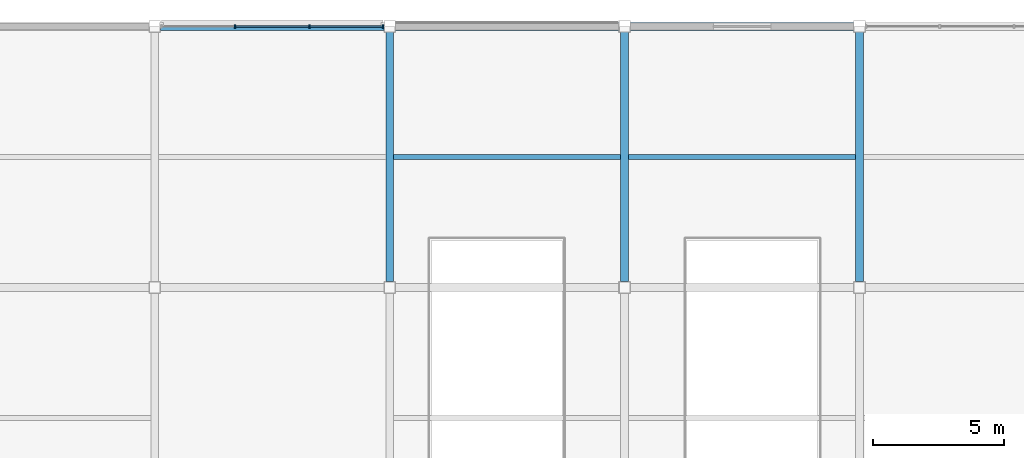
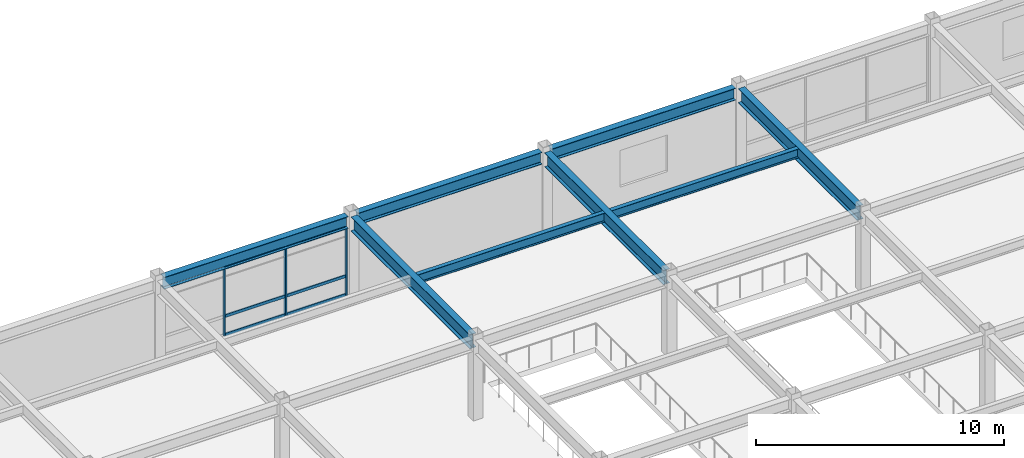
# One storey, part 45 of 105: 9 members, 8 beams, 1 element without a shape of its own.
"""IFC4 building model written with IfcOpenShell, lengths in metres."""

from ifc_helpers import new_model, si_unit, direction, frame, origin, origin_2d, place, context, subcontext, project, spatial, rectangle, i_section, extrude, material, material_profile, profile_set, type_object, element, aggregate, save


model = new_model("IFC4")

# Units and contexts
model_context = context("Model", 3, precision=1e-05, world=origin(), true_north=direction((0.0, 1.0)))
body_context = subcontext(model_context, "Body", "Model", "MODEL_VIEW")
ifc_project = project(units=[si_unit("LENGTHUNIT", "METRE"), si_unit("AREAUNIT", "SQUARE_METRE"), si_unit("VOLUMEUNIT", "CUBIC_METRE"), si_unit("PLANEANGLEUNIT", "RADIAN"), si_unit("MASSUNIT", "GRAM", prefix="KILO")], contexts=[model_context])

# Site, building, storey
site_placement = place(None, origin())
site = spatial("IfcSite", under=ifc_project, at=site_placement, CompositionType="ELEMENT")
building_placement = place(site_placement, origin())
building = spatial("IfcBuilding", under=site, at=building_placement, Name="Suzunagisa Mobility Hub", CompositionType="ELEMENT")
storey_placement = place(building_placement, frame((0.0, 0.0, 5.10009765625)))
storey = spatial("IfcBuildingStorey", under=building, at=storey_placement, Name="L01", CompositionType="ELEMENT", Elevation=5.10009765625)

# Curtain wall, members
ifc_material_1 = material(Name="Thermally Broken Anodized Aluminum and Low-E Glazing", Category="aluminium")
curtain_wall_type = type_object("IfcCurtainWallType", Name="Unitised Curtain Wall CW-29 8500x3400", PredefinedType="USERDEFINED", material=ifc_material_1)
curtain_wall_placement = place(storey_placement, origin())
curtain_wall = element("IfcCurtainWall", 1, at=curtain_wall_placement, inside=storey, type_object=curtain_wall_type, Name="L01 Unitised Curtain Wall CW-108", ObjectType="UNITISED CURTAIN WALL", PredefinedType="USERDEFINED")
ifc_material_2 = material(Name="Anodized Aluminum 6063-T6", Category="aluminium")
ifc_material_profile_1 = material_profile(ifc_material_2, rectangle(XDim=0.06494140625, YDim=0.139892578125, at=origin_2d()), Name="TRAN-65x140")
ifc_profile_set_1 = profile_set([ifc_material_profile_1], Name="Anodized Aluminum 6063-T6")
member_type_1 = type_object("IfcMemberType", Name="Curtain Wall Framing CM-01 TRAN-65x140", PredefinedType="USERDEFINED", material=ifc_profile_set_1)
member_1_placement = place(storey_placement, frame((71.717041015625, 118.0, 0.032470703125), z_axis=(-1.0, 0.0, 0.0), x_axis=(0.0, -1.0, 0.0)))
member_1 = element("IfcMember", 2, at=member_1_placement, type_object=member_type_1, Name="Curtain Wall Transom 108-T1.1", ObjectType="TRANSOM", PredefinedType="USERDEFINED", context=body_context, shape_type="SweptSolid", body=[
    extrude(rectangle(XDim=0.06494140625, YDim=0.139892578125, at=origin_2d()), origin(), (0.0, 0.0, 1.0), 2.76416015625),
])
member_2_placement = place(storey_placement, frame((71.717041015625, 118.0, 0.949951171875), z_axis=(-1.0, 0.0, 0.0), x_axis=(0.0, -1.0, 0.0)))
member_2 = element("IfcMember", 3, at=member_2_placement, type_object=member_type_1, Name="Curtain Wall Transom 108-T1.2", ObjectType="TRANSOM", PredefinedType="USERDEFINED", context=body_context, shape_type="SweptSolid", body=[
    extrude(rectangle(XDim=0.06494140625, YDim=0.139892578125, at=origin_2d()), origin(), (0.0, 0.0, 1.0), 2.76416015625),
])
member_3_placement = place(storey_placement, frame((71.717041015625, 118.0, 3.3193359375), z_axis=(-1.0, 0.0, 0.0), x_axis=(0.0, -1.0, 0.0)))
member_3 = element("IfcMember", 4, at=member_3_placement, type_object=member_type_1, Name="Curtain Wall Transom 108-T1.3", ObjectType="TRANSOM", PredefinedType="USERDEFINED", context=body_context, shape_type="SweptSolid", body=[
    extrude(rectangle(XDim=0.06494140625, YDim=0.139892578125, at=origin_2d()), origin(), (0.0, 0.0, 1.0), 2.76416015625),
])
member_4_placement = place(storey_placement, frame((68.89697265625, 118.0, 0.032470703125), z_axis=(-1.0, 0.0, 0.0), x_axis=(0.0, -1.0, 0.0)))
member_4 = element("IfcMember", 5, at=member_4_placement, type_object=member_type_1, Name="Curtain Wall Transom 108-T2.1", ObjectType="TRANSOM", PredefinedType="USERDEFINED", context=body_context, shape_type="SweptSolid", body=[
    extrude(rectangle(XDim=0.06494140625, YDim=0.139892578125, at=origin_2d()), origin(), (0.0, 0.0, 1.0), 2.7939453125),
])
member_5_placement = place(storey_placement, frame((68.89697265625, 118.0, 0.949951171875), z_axis=(-1.0, 0.0, 0.0), x_axis=(0.0, -1.0, 0.0)))
member_5 = element("IfcMember", 6, at=member_5_placement, type_object=member_type_1, Name="Curtain Wall Transom 108-T2.2", ObjectType="TRANSOM", PredefinedType="USERDEFINED", context=body_context, shape_type="SweptSolid", body=[
    extrude(rectangle(XDim=0.06494140625, YDim=0.139892578125, at=origin_2d()), origin(), (0.0, 0.0, 1.0), 2.7939453125),
])
member_6_placement = place(storey_placement, frame((68.89697265625, 118.0, 3.3193359375), z_axis=(-1.0, 0.0, 0.0), x_axis=(0.0, -1.0, 0.0)))
member_6 = element("IfcMember", 7, at=member_6_placement, type_object=member_type_1, Name="Curtain Wall Transom 108-T2.3", ObjectType="TRANSOM", PredefinedType="USERDEFINED", context=body_context, shape_type="SweptSolid", body=[
    extrude(rectangle(XDim=0.06494140625, YDim=0.139892578125, at=origin_2d()), origin(), (0.0, 0.0, 1.0), 2.7939453125),
])
ifc_material_profile_2 = material_profile(ifc_material_2, rectangle(XDim=0.06005859375, YDim=0.14990234375, at=origin_2d()), Name="MULL-60x150")
ifc_profile_set_2 = profile_set([ifc_material_profile_2], Name="Anodized Aluminum 6063-T6")
member_type_2 = type_object("IfcMemberType", Name="Curtain Wall Framing CM-03 MULL-60x150", PredefinedType="MULLION", material=ifc_profile_set_2)
member_7_placement = place(storey_placement, frame((71.7451171875, 118.0, 0.0), z_axis=(0.0, 0.0, 1.0), x_axis=(-1.0, 0.0, 0.0)))
member_7 = element("IfcMember", 8, at=member_7_placement, type_object=member_type_2, Name="Curtain Wall Mullion 108-M1", PredefinedType="MULLION", context=body_context, shape_type="SweptSolid", body=[
    extrude(rectangle(XDim=0.06005859375, YDim=0.14990234375, at=origin_2d()), origin(), (0.0, 0.0, 1.0), 3.351806640625),
])
member_8_placement = place(storey_placement, frame((68.925048828125, 118.0, 0.0), z_axis=(0.0, 0.0, 1.0), x_axis=(-1.0, 0.0, 0.0)))
member_8 = element("IfcMember", 9, at=member_8_placement, type_object=member_type_2, Name="Curtain Wall Mullion 108-M2", PredefinedType="MULLION", context=body_context, shape_type="SweptSolid", body=[
    extrude(rectangle(XDim=0.06005859375, YDim=0.14990234375, at=origin_2d()), origin(), (0.0, 0.0, 1.0), 3.351806640625),
])
member_9_placement = place(storey_placement, frame((66.074951171875, 118.0, 0.0), z_axis=(0.0, 0.0, 1.0), x_axis=(-1.0, 0.0, 0.0)))
member_9 = element("IfcMember", 10, at=member_9_placement, type_object=member_type_2, Name="Curtain Wall Mullion 108-M3", PredefinedType="MULLION", context=body_context, shape_type="SweptSolid", body=[
    extrude(rectangle(XDim=0.06005859375, YDim=0.14990234375, at=origin_2d()), origin(), (0.0, 0.0, 1.0), 3.351806640625),
])
aggregate(curtain_wall, [member_7, member_8, member_9, member_1, member_2, member_3, member_4, member_5, member_6])

# Beams
ifc_material_3 = material(Name="Steel SN400B", Category="steel")
ifc_material_profile_3 = material_profile(ifc_material_3, i_section(OverallWidth=0.199951171875, OverallDepth=0.449951171875, WebThickness=0.009033203125, FlangeThickness=0.013916015625, FilletRadius=0.012939453125, at=origin_2d()), Name="H-450x200x9x14")
ifc_profile_set_3 = profile_set([ifc_material_profile_3], Name="Steel SN400B")
beam_type_1 = type_object("IfcBeamType", Name="Steel Beam BM-05 H-450x200x9x14", PredefinedType="JOIST", material=ifc_profile_set_3)
for number, where, z_axis, x_axis, name in (
    (11, (72.14990234375, 113.0, 3.71484375), (1.0, 0.0, 0.0), (0.0, 1.0, 0.0), "L01 Composite Floor Joist J-898"),
    (12, (81.14990234375, 113.0, 3.71484375), (1.0, 0.0, 0.0), (0.0, 1.0, 0.0), "L01 Composite Floor Joist J-902"),
):
    element("IfcBeam", number, at=place(storey_placement, frame(where, z_axis=z_axis, x_axis=x_axis)), inside=storey, type_object=beam_type_1, Name=name, PredefinedType="JOIST", context=body_context, shape_type="SweptSolid", body=[
        extrude(i_section(OverallWidth=0.199951171875, OverallDepth=0.449951171875, WebThickness=0.009033203125, FlangeThickness=0.013916015625, FilletRadius=0.012939453125, at=origin_2d()), origin(), (0.0, 0.0, 1.0), 8.7001953125),
    ])
ifc_material_4 = material(Name="Steel SN490B", Category="steel")
ifc_material_profile_4 = material_profile(ifc_material_4, i_section(OverallWidth=0.300048828125, OverallDepth=0.699951171875, WebThickness=0.012939453125, FlangeThickness=0.02392578125, FilletRadius=0.01806640625, at=origin_2d()), Name="H-700x300x13x24")
ifc_profile_set_4 = profile_set([ifc_material_profile_4], Name="Steel SN490B")
beam_type_2 = type_object("IfcBeamType", Name="Steel Beam BM-11 H-700x300x13x24", PredefinedType="BEAM", material=ifc_profile_set_4)
for number, where, z_axis, x_axis, name in (
    (13, (72.0, 108.220947265625, 3.58984375), (0.0, 1.0, 0.0), (-1.0, 0.0, 0.0), "L01 Primary Girder GY-861"),
    (14, (81.0, 108.220947265625, 3.58984375), (0.0, 1.0, 0.0), (-1.0, 0.0, 0.0), "L01 Primary Girder GY-865"),
    (15, (90.0, 108.220947265625, 3.58984375), (0.0, 1.0, 0.0), (-1.0, 0.0, 0.0), "L01 Primary Girder GY-869"),
):
    element("IfcBeam", number, at=place(storey_placement, frame(where, z_axis=z_axis, x_axis=x_axis)), inside=storey, type_object=beam_type_2, Name=name, PredefinedType="BEAM", context=body_context, shape_type="SweptSolid", body=[
        extrude(i_section(OverallWidth=0.300048828125, OverallDepth=0.699951171875, WebThickness=0.012939453125, FlangeThickness=0.02392578125, FilletRadius=0.01806640625, at=origin_2d()), origin(), (0.0, 0.0, 1.0), 9.55810546875),
    ])
ifc_material_profile_5 = material_profile(ifc_material_4, i_section(OverallWidth=0.300048828125, OverallDepth=0.587890625, WebThickness=0.011962890625, FlangeThickness=0.02001953125, FilletRadius=0.012939453125, at=origin_2d()), Name="H-588x300x12x20")
ifc_profile_set_5 = profile_set([ifc_material_profile_5], Name="Steel SN490B")
beam_type_3 = type_object("IfcBeamType", Name="Steel Beam BM-16 H-588x300x12x20", PredefinedType="BEAM", material=ifc_profile_set_5)
for number, where, z_axis, x_axis, name in (
    (16, (63.220947265625, 118.0, 3.64599609375), (1.0, 0.0, 0.0), (0.0, 1.0, 0.0), "L01 Primary Girder GX-840"),
    (17, (72.220947265625, 118.0, 3.64599609375), (1.0, 0.0, 0.0), (0.0, 1.0, 0.0), "L01 Primary Girder GX-841"),
    (18, (81.220947265625, 118.0, 3.64599609375), (1.0, 0.0, 0.0), (0.0, 1.0, 0.0), "L01 Primary Girder GX-842"),
):
    element("IfcBeam", number, at=place(storey_placement, frame(where, z_axis=z_axis, x_axis=x_axis)), inside=storey, type_object=beam_type_3, Name=name, PredefinedType="BEAM", context=body_context, shape_type="SweptSolid", body=[
        extrude(i_section(OverallWidth=0.300048828125, OverallDepth=0.587890625, WebThickness=0.011962890625, FlangeThickness=0.02001953125, FilletRadius=0.012939453125, at=origin_2d()), origin(), (0.0, 0.0, 1.0), 8.55810546875),
    ])

save(model, "model.ifc")
